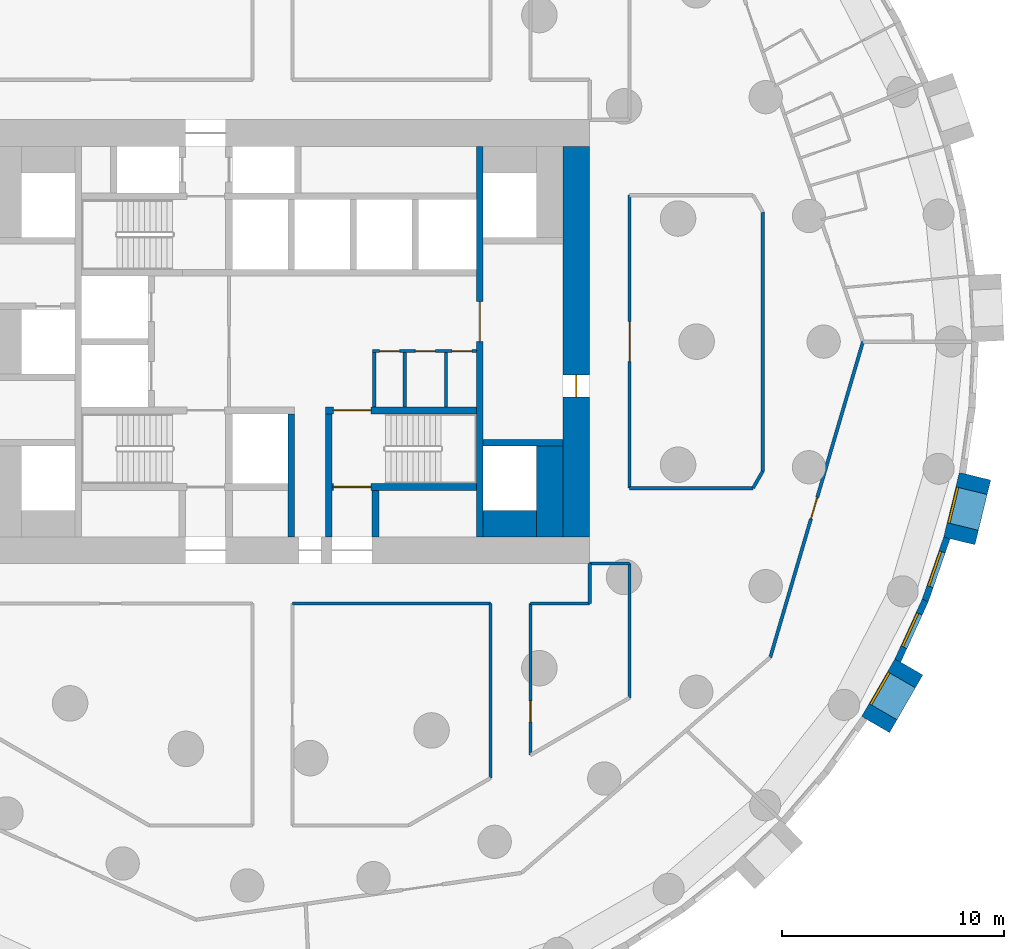
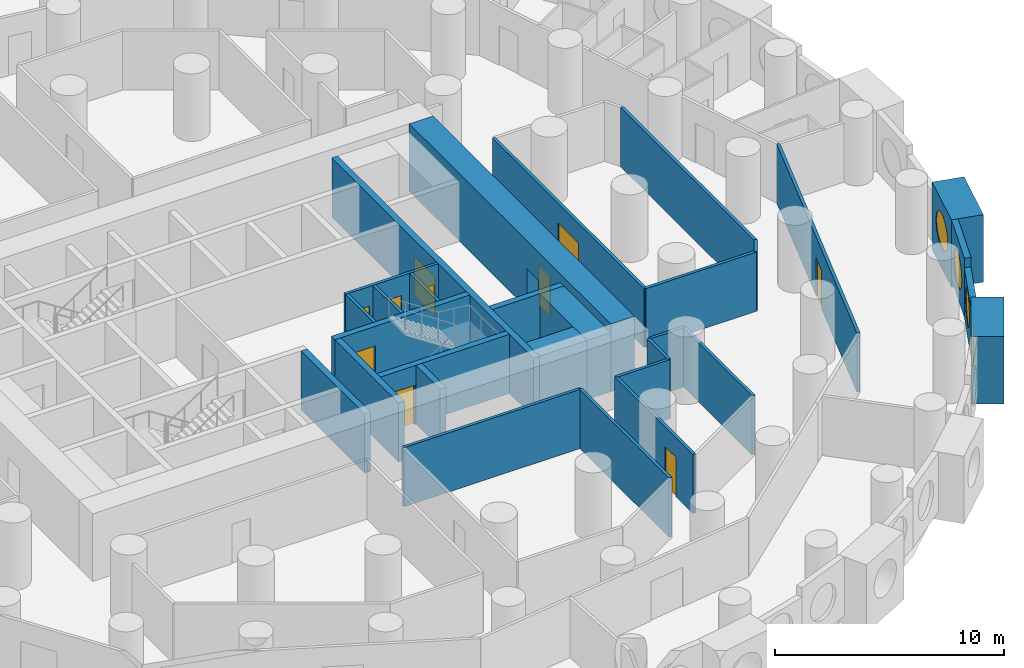
# One storey, part 5 of 12: 30 walls, 10 doors, 4 windows, 14 openings.
"""IFC4 building model written with IfcOpenShell, lengths in metres."""

import ifcopenshell
import ifcopenshell.guid

model = None  # the IFC model being written
_history = None  # IfcOwnerHistory: only IFC2X3 demands one
_inside = {}  # id of a spatial element -> (the spatial element, [elements in it])
_under = {}  # id of a project, library or spatial element -> (it, [spatial elements below it])
_declared = {}  # id of a project -> (the project, [libraries it declares])
_typed = {}  # id of a type object -> (the type object, [elements of that type])
_made_of = {}  # id of a material, layer set ... -> (it, [elements and type objects made of it])


def new_model(schema):
    """Start an empty IFC model of exactly this schema.

    Asked for "IFC4X3", IfcOpenShell would pick the latest addendum, in which some entities
    have other attributes; the version numbers below select the first issue.
    IFC2X3 requires an IfcOwnerHistory on every rooted entity: one is made here for all.
    """
    global model, _history
    if schema == "IFC4X3":
        model = ifcopenshell.file(schema_version=(4, 3, 0, 0))
    else:
        model = ifcopenshell.file(schema=schema)
    _inside.clear()
    _under.clear()
    _declared.clear()
    _typed.clear()
    _made_of.clear()
    _history = None
    if model.schema == "IFC2X3":
        org = make("IfcOrganization", Name="unknown")
        user = make(
            "IfcPersonAndOrganization",
            ThePerson=make("IfcPerson", FamilyName="unknown"),
            TheOrganization=org,
        )
        app = make(
            "IfcApplication",
            ApplicationDeveloper=org,
            Version="unknown",
            ApplicationFullName="unknown",
            ApplicationIdentifier="unknown",
        )
        _history = make(
            "IfcOwnerHistory",
            OwningUser=user,
            OwningApplication=app,
            ChangeAction="ADDED",
            CreationDate=0,
        )
    return model


def make(cls, **values):
    """One entity of the class cls with the attributes given. An attribute that is None is left unset."""
    return model.create_entity(
        cls, **{name: value for name, value in values.items() if value is not None}
    )


def rooted(cls, **values):
    """An entity with a GlobalId (a new one), such as an element, a storey or a relation."""
    return make(cls, GlobalId=ifcopenshell.guid.new(), OwnerHistory=_history, **values)


def si_unit(unit_type, name, prefix=None):
    """IfcSIUnit, for example si_unit("LENGTHUNIT", "METRE", prefix="MILLI")."""
    return make("IfcSIUnit", UnitType=unit_type, Prefix=prefix, Name=name)


def assignment(units):
    """IfcUnitAssignment: the units of a project."""
    return None if units is None else make("IfcUnitAssignment", Units=units)


def point(xyz):
    """IfcCartesianPoint."""
    return None if xyz is None else make("IfcCartesianPoint", Coordinates=xyz)


def direction(xyz):
    """IfcDirection."""
    return None if xyz is None else make("IfcDirection", DirectionRatios=xyz)


def frame(location, z_axis=None, x_axis=None):
    """IfcAxis2Placement3D, a coordinate frame: its origin and axes. An axis left out is left unset."""
    return make(
        "IfcAxis2Placement3D",
        Location=point(location),
        Axis=direction(z_axis),
        RefDirection=direction(x_axis),
    )


def frame_2d(location, x_axis=None):
    """IfcAxis2Placement2D, a coordinate frame in the plane: its origin and x axis."""
    return make(
        "IfcAxis2Placement2D", Location=point(location), RefDirection=direction(x_axis)
    )


def origin():
    """The frame at (0, 0, 0) with its axes left unset."""
    return frame((0.0, 0.0, 0.0))


def origin_2d():
    """The frame at (0, 0) in the plane with its x axis left unset."""
    return frame_2d((0.0, 0.0))


def place(relative_to, where):
    """IfcLocalPlacement: puts the frame where relative to a parent placement (None: the world)."""
    return make(
        "IfcLocalPlacement", PlacementRelTo=relative_to, RelativePlacement=where
    )


def context(
    kind, dimensions, precision=None, world=None, true_north=None, identifier=None
):
    """IfcGeometricRepresentationContext, for example the 3D "Model" context."""
    return make(
        "IfcGeometricRepresentationContext",
        ContextIdentifier=identifier,
        ContextType=kind,
        CoordinateSpaceDimension=dimensions,
        Precision=precision,
        WorldCoordinateSystem=world,
        TrueNorth=true_north,
    )


def subcontext(parent, identifier, kind, view, scale=None):
    """IfcGeometricRepresentationSubContext, for example "Body" below "Model"."""
    return make(
        "IfcGeometricRepresentationSubContext",
        ContextIdentifier=identifier,
        ContextType=kind,
        ParentContext=parent,
        TargetScale=scale,
        TargetView=view,
    )


def project(units=None, contexts=None):
    """IfcProject with its units and contexts."""
    return rooted(
        "IfcProject",
        Name="project",
        RepresentationContexts=contexts,
        UnitsInContext=assignment(units),
    )


def spatial(cls, under=None, at=None, **own):
    """A site, building, storey or space (cls), placed at a placement, below another one or the project."""
    s = rooted(cls, ObjectPlacement=at, **own)
    if under is not None:
        _under.setdefault(under.id(), (under, []))[1].append(s)
    return s


def profile(cls, at=None, kind="AREA", **sizes):
    """A parametric profile (cls). Its sizes go by their IFC names, for example OverallWidth=200.0."""
    return make(cls, ProfileType=kind, Position=at, **sizes)


def rectangle(**sizes):
    """IfcRectangleProfileDef."""
    return profile("IfcRectangleProfileDef", **sizes)


def circle(**sizes):
    """IfcCircleProfileDef."""
    return profile("IfcCircleProfileDef", **sizes)


def extrude(swept, where, along, depth):
    """IfcExtrudedAreaSolid: the profile swept, set in the frame where, extruded along a direction by depth."""
    return make(
        "IfcExtrudedAreaSolid",
        SweptArea=swept,
        Position=where,
        ExtrudedDirection=direction(along),
        Depth=depth,
    )


def shape(context_of_items, identifier, shape_type, items):
    """IfcShapeRepresentation: the items that make up one representation, for example the "Body"."""
    return make(
        "IfcShapeRepresentation",
        ContextOfItems=context_of_items,
        RepresentationIdentifier=identifier,
        RepresentationType=shape_type,
        Items=items,
    )


def material(Name=None, Category=None):
    """IfcMaterial."""
    return make("IfcMaterial", Name=Name, Category=Category)


def layer(
    of_material, thickness, ventilated=None, Name=None, Category=None, Priority=None
):
    """IfcMaterialLayer: one layer of a wall or slab, of a material (None: an air gap)."""
    return make(
        "IfcMaterialLayer",
        Material=of_material,
        LayerThickness=thickness,
        IsVentilated=ventilated,
        Name=Name,
        Category=Category,
        Priority=Priority,
    )


def layer_set(layers, Name=None):
    """IfcMaterialLayerSet."""
    return make("IfcMaterialLayerSet", MaterialLayers=layers, LayerSetName=Name)


def made_of(thing, what):
    """Note that an element or type object is made of a material, layer set ...; save() writes the relation."""
    if what is not None:
        _made_of.setdefault(what.id(), (what, []))[1].append(thing)
    return thing


def type_object(cls, material=None, **own):
    """A type object (cls), such as IfcWallType, which elements share."""
    return made_of(rooted(cls, **own), material)


def element(
    cls,
    number,
    at=None,
    inside=None,
    cuts=None,
    type_object=None,
    material=None,
    context=None,
    identifier="Body",
    shape_type=None,
    held_by="IfcProductDefinitionShape",
    body=None,
    shapes=None,
    **own,
):
    """One element of the class cls, such as IfcWall. Its Tag is "e" and its number.

    at: its placement. inside: the storey or other place that contains it. cuts: it is an
    opening in that element (IfcRelVoidsElement). A single representation is given by context,
    identifier, shape_type and body (its items); several are given by shapes. held_by: the class
    of the entity that holds the representations. save() writes the other relations.
    """
    e = rooted(cls, Tag="e%d" % number, ObjectPlacement=at, **own)
    if body is not None:
        shapes = [shape(context, identifier, shape_type, body)]
    if shapes is not None:
        e.Representation = make(held_by, Representations=shapes)
    if inside is not None:
        _inside.setdefault(inside.id(), (inside, []))[1].append(e)
    if cuts is not None:
        rooted(
            "IfcRelVoidsElement", RelatingBuildingElement=cuts, RelatedOpeningElement=e
        )
    if type_object is not None:
        _typed.setdefault(type_object.id(), (type_object, []))[1].append(e)
    return made_of(e, material)


def fill(opening, filler):
    """IfcRelFillsElement: the door or window that sits in an opening."""
    return rooted(
        "IfcRelFillsElement",
        RelatingOpeningElement=opening,
        RelatedBuildingElement=filler,
    )


def aggregate(whole, parts):
    """IfcRelAggregates: a whole, such as a stair, and the parts it consists of."""
    return rooted("IfcRelAggregates", RelatingObject=whole, RelatedObjects=parts)


def save(model, path):
    """Write the relations noted so far, then the file.

    IfcRelAggregates (storeys below a building ...), IfcRelContainedInSpatialStructure (elements
    in a storey), IfcRelDefinesByType, IfcRelAssociatesMaterial and IfcRelDeclares: one each for
    every whole, place, type object, material and project.
    """
    for whole, parts in _under.values():
        aggregate(whole, parts)
    for where, things in _inside.values():
        rooted(
            "IfcRelContainedInSpatialStructure",
            RelatedElements=things,
            RelatingStructure=where,
        )
    for kind, things in _typed.values():
        rooted("IfcRelDefinesByType", RelatedObjects=things, RelatingType=kind)
    for what, things in _made_of.values():
        rooted("IfcRelAssociatesMaterial", RelatedObjects=things, RelatingMaterial=what)
    for by, libraries in _declared.values():
        rooted("IfcRelDeclares", RelatingContext=by, RelatedDefinitions=libraries)
    model.write(path)


model = new_model("IFC4")

# Units and contexts
model_context = context("Model", 3, precision=1e-05, world=origin(), true_north=direction((0.0, 1.0)))
body_context = subcontext(model_context, "Body", "Model", "MODEL_VIEW")
ifc_project = project(units=[si_unit("LENGTHUNIT", "METRE"), si_unit("AREAUNIT", "SQUARE_METRE"), si_unit("VOLUMEUNIT", "CUBIC_METRE"), si_unit("PLANEANGLEUNIT", "RADIAN"), si_unit("MASSUNIT", "GRAM", prefix="KILO")], contexts=[model_context])

# Site, building, storey
site_placement = place(None, origin())
site = spatial("IfcSite", under=ifc_project, at=site_placement, CompositionType="ELEMENT")
building_placement = place(site_placement, origin())
building = spatial("IfcBuilding", under=site, at=building_placement, Name="Tracery Tower", CompositionType="ELEMENT")
storey_placement = place(building_placement, frame((0.0, 0.0, 42.60009765625)))
storey = spatial("IfcBuildingStorey", under=building, at=storey_placement, Name="L09", CompositionType="ELEMENT", Elevation=42.60009765625)

# Wall
ifc_material_1 = material(Name="Plasterboard on steel studs", Category="steel")
ifc_layer_1 = layer(ifc_material_1, 0.14990234375)
ifc_layer_set_1 = layer_set([ifc_layer_1], Name="Core room partition 150")
wall_type_1 = type_object("IfcWallType", Name="Core room partition 150", PredefinedType="SOLIDWALL", material=ifc_layer_set_1)
wall_1_placement = place(storey_placement, frame((4.300048828125, -2.949951171875, 0.0), z_axis=(0.0, 0.0, 1.0), x_axis=(0.0, 1.0, 0.0)))
element("IfcWall", 1, at=wall_1_placement, inside=storey, type_object=wall_type_1, Name="L09 slot W", PredefinedType="SOLIDWALL", context=body_context, shape_type="SweptSolid", body=[
    extrude(rectangle(XDim=2.449951171875, YDim=0.14990234375, at=frame_2d((1.22509765625, 0.0))), origin(), (0.0, 0.0, 1.0), 3.14990234375),
])

# Wall, openings, doors
wall_2_placement = place(storey_placement, frame((4.22509765625, -0.425048828125, 0.0), z_axis=(0.0, 0.0, 1.0), x_axis=(1.0, 0.0, 0.0)))
wall_2 = element("IfcWall", 2, at=wall_2_placement, inside=storey, type_object=wall_type_1, Name="L09 slot N", PredefinedType="SOLIDWALL", context=body_context, shape_type="SweptSolid", body=[
    extrude(rectangle(XDim=4.6748046875, YDim=0.14990234375, at=frame_2d((2.33740234375, 0.0))), origin(), (0.0, 0.0, 1.0), 3.14990234375),
])
opening_1_placement = place(wall_2_placement, frame((0.3125, 0.0, 0.0)))
opening_1 = element("IfcOpeningElement", 3, at=opening_1_placement, cuts=wall_2, Name="Opening KD32", PredefinedType="OPENING", context=body_context, shape_type="SweptSolid", body=[
    extrude(rectangle(XDim=0.89990234375, YDim=2.10009765625, at=frame_2d((0.449951171875, 1.050048828125))), frame((0.0, 0.074951171875, 0.0), z_axis=(0.0, -1.0, 0.0), x_axis=(1.0, 0.0, 0.0)), (0.0, 0.0, 1.0), 0.14990234375),
])
opening_2_placement = place(wall_2_placement, frame((1.925048828125, 0.0, 0.0)))
opening_2 = element("IfcOpeningElement", 4, at=opening_2_placement, cuts=wall_2, Name="Opening KD21", PredefinedType="OPENING", context=body_context, shape_type="SweptSolid", body=[
    extrude(rectangle(XDim=0.89990234375, YDim=2.10009765625, at=frame_2d((0.449951171875, 1.050048828125))), frame((0.0, 0.074951171875, 0.0), z_axis=(0.0, -1.0, 0.0), x_axis=(1.0, 0.0, 0.0)), (0.0, 0.0, 1.0), 0.14990234375),
])
opening_3_placement = place(wall_2_placement, frame((3.574951171875, 0.0, 0.0)))
opening_3 = element("IfcOpeningElement", 5, at=opening_3_placement, cuts=wall_2, Name="Opening KD27", PredefinedType="OPENING", context=body_context, shape_type="SweptSolid", body=[
    extrude(rectangle(XDim=0.89990234375, YDim=2.10009765625, at=frame_2d((0.449951171875, 1.050048828125))), frame((0.0, 0.074951171875, 0.0), z_axis=(0.0, -1.0, 0.0), x_axis=(1.0, 0.0, 0.0)), (0.0, 0.0, 1.0), 0.14990234375),
])
ifc_material_2 = material(Name="Timber door leaf", Category="wood")
door_type_1 = type_object("IfcDoorType", Name="Core WC door 900", OperationType="NOTDEFINED", PredefinedType="DOOR", material=ifc_material_2)
door_1_placement = place(opening_2_placement, origin())
door_1 = element("IfcDoor", 6, at=door_1_placement, inside=storey, type_object=door_type_1, Name="Core door", OperationType="SINGLE_SWING_LEFT", OverallHeight=2.10009765625, OverallWidth=0.89990234375, PredefinedType="DOOR", context=body_context, shape_type="SweptSolid", body=[
    extrude(rectangle(XDim=0.89990234375, YDim=2.10009765625, at=frame_2d((0.449951171875, 1.050048828125))), frame((0.0, 0.02490234375, 0.0), z_axis=(0.0, -1.0, 0.0), x_axis=(1.0, 0.0, 0.0)), (0.0, 0.0, 1.0), 0.050048828125),
])
fill(opening_2, door_1)
ifc_material_3 = material(Name="Steel fire door", Category="steel")
door_type_2 = type_object("IfcDoorType", Name="Core riser door 900", OperationType="NOTDEFINED", PredefinedType="DOOR", material=ifc_material_3)
door_2_placement = place(opening_1_placement, origin())
door_2 = element("IfcDoor", 7, at=door_2_placement, inside=storey, type_object=door_type_2, Name="Core door", OperationType="SINGLE_SWING_RIGHT", OverallHeight=2.10009765625, OverallWidth=0.89990234375, PredefinedType="DOOR", context=body_context, shape_type="SweptSolid", body=[
    extrude(rectangle(XDim=0.89990234375, YDim=2.10009765625, at=frame_2d((0.449951171875, 1.050048828125))), frame((0.0, 0.02490234375, 0.0), z_axis=(0.0, -1.0, 0.0), x_axis=(1.0, 0.0, 0.0)), (0.0, 0.0, 1.0), 0.050048828125),
])
fill(opening_1, door_2)
ifc_material_4 = material(Name="Timber door leaf", Category="wood")
door_type_3 = type_object("IfcDoorType", Name="Core store door 900", OperationType="NOTDEFINED", PredefinedType="DOOR", material=ifc_material_4)
door_3_placement = place(opening_3_placement, origin())
door_3 = element("IfcDoor", 8, at=door_3_placement, inside=storey, type_object=door_type_3, Name="Core door", OperationType="SINGLE_SWING_RIGHT", OverallHeight=2.10009765625, OverallWidth=0.89990234375, PredefinedType="DOOR", context=body_context, shape_type="SweptSolid", body=[
    extrude(rectangle(XDim=0.89990234375, YDim=2.10009765625, at=frame_2d((0.449951171875, 1.050048828125))), frame((0.0, 0.02490234375, 0.0), z_axis=(0.0, -1.0, 0.0), x_axis=(1.0, 0.0, 0.0)), (0.0, 0.0, 1.0), 0.050048828125),
])
fill(opening_3, door_3)

# Walls
for number, where, z_axis, x_axis, name in (
    (9, (5.675048828125, -2.949951171875, 0.0), (0.0, 0.0, 1.0), (0.0, 1.0, 0.0), "L09 slot sep 1"),
    (10, (7.52490234375, -2.949951171875, 0.0), (0.0, 0.0, 1.0), (0.0, 1.0, 0.0), "L09 slot sep 2"),
):
    element("IfcWall", number, at=place(storey_placement, frame(where, z_axis=z_axis, x_axis=x_axis)), inside=storey, type_object=wall_type_1, Name=name, PredefinedType="SOLIDWALL", context=body_context, shape_type="SweptSolid", body=[
        extrude(rectangle(XDim=2.449951171875, YDim=0.14990234375, at=frame_2d((1.22509765625, 0.0))), origin(), (0.0, 0.0, 1.0), 3.14990234375),
    ])
ifc_material_5 = material(Name="Concrete C60/75", Category="concrete")
ifc_layer_2 = layer(ifc_material_5, 1.199951171875)
ifc_layer_set_2 = layer_set([ifc_layer_2], Name="Core strip wall 1200 C60")
wall_type_2 = type_object("IfcWallType", Name="Core strip wall 1200 C60", PredefinedType="SOLIDWALL", material=ifc_layer_set_2)
wall_3_placement = place(storey_placement, frame((12.199951171875, -8.800048828125, 0.0), z_axis=(0.0, 0.0, 1.0), x_axis=(0.0, 1.0, 0.0)))
element("IfcWall", 11, at=wall_3_placement, inside=storey, type_object=wall_type_2, Name="L09 wing strip +1 -9.4", PredefinedType="SOLIDWALL", context=body_context, shape_type="SweptSolid", body=[
    extrude(rectangle(XDim=4.10009765625, YDim=1.199951171875, at=frame_2d((2.050048828125, 0.0))), origin(), (0.0, 0.0, 1.0), 3.14990234375),
])
wall_4_placement = place(storey_placement, frame((9.199951171875, -8.199951171875, 0.0), z_axis=(0.0, 0.0, 1.0), x_axis=(1.0, 0.0, 0.0)))
element("IfcWall", 12, at=wall_4_placement, inside=storey, type_object=wall_type_2, Name="L09 wing corner +1 -8.2", PredefinedType="SOLIDWALL", context=body_context, shape_type="SweptSolid", body=[
    extrude(rectangle(XDim=2.400146484375, YDim=1.199951171875, at=frame_2d((1.2001953125, 0.0))), origin(), (0.0, 0.0, 1.0), 3.14990234375),
])

# Wall, opening, door
ifc_material_6 = material(Name="Concrete C60/75", Category="concrete")
ifc_layer_3 = layer(ifc_material_6, 1.199951171875)
ifc_layer_set_3 = layer_set([ifc_layer_3], Name="Core wall 1200 C60")
wall_type_3 = type_object("IfcWallType", Name="Core wall 1200 C60", PredefinedType="SOLIDWALL", material=ifc_layer_set_3)
wall_5_placement = place(storey_placement, frame((13.39990234375, -8.800048828125, 0.0), z_axis=(0.0, 0.0, 1.0), x_axis=(0.0, 1.0, 0.0)))
wall_5 = element("IfcWall", 13, at=wall_5_placement, inside=storey, type_object=wall_type_3, Name="L09 outer E", PredefinedType="SOLIDWALL", context=body_context, shape_type="SweptSolid", body=[
    extrude(rectangle(XDim=17.60009765625, YDim=1.199951171875, at=frame_2d((8.800048828125, 0.0))), origin(), (0.0, 0.0, 1.0), 3.599853515625),
])
opening_4_placement = place(wall_5_placement, frame((6.300048828125, 0.0, 0.0)))
opening_4 = element("IfcOpeningElement", 14, at=opening_4_placement, cuts=wall_5, Name="Opening KD18", PredefinedType="OPENING", context=body_context, shape_type="SweptSolid", body=[
    extrude(rectangle(XDim=1.0, YDim=2.10009765625, at=frame_2d((0.5, 1.050048828125))), frame((0.0, 0.60009765625, 0.0), z_axis=(0.0, -1.0, 0.0), x_axis=(1.0, 0.0, 0.0)), (0.0, 0.0, 1.0), 1.199951171875),
])
ifc_material_7 = material(Name="Steel fire door", Category="steel")
door_type_4 = type_object("IfcDoorType", Name="Core exit door 1000", OperationType="NOTDEFINED", PredefinedType="DOOR", material=ifc_material_7)
door_4_placement = place(opening_4_placement, origin())
door_4 = element("IfcDoor", 15, at=door_4_placement, inside=storey, type_object=door_type_4, Name="Core exit door", OperationType="DOUBLE_DOOR_SINGLE_SWING", OverallHeight=2.10009765625, OverallWidth=1.0, PredefinedType="DOOR", context=body_context, shape_type="SweptSolid", body=[
    extrude(rectangle(XDim=1.0, YDim=2.10009765625, at=frame_2d((0.5, 1.050048828125))), frame((0.0, 0.02490234375, 0.0), z_axis=(0.0, -1.0, 0.0), x_axis=(1.0, 0.0, 0.0)), (0.0, 0.0, 1.0), 0.050048828125),
])
fill(opening_4, door_4)

# Wall, opening, window
ifc_material_8 = material(Name="Precast concrete C50/60", Category="concrete")
ifc_layer_4 = layer(ifc_material_8, 1.449951171875)
ifc_layer_set_4 = layer_set([ifc_layer_4], Name="Deep-set bay unit 3000 x 3600, slab edge 450")
wall_type_4 = type_object("IfcWallType", Name="Deep-set bay unit 3000 x 3600, slab edge 450", PredefinedType="ELEMENTEDWALL", material=ifc_layer_set_4)
wall_6_placement = place(storey_placement, frame((26.88818359375, -17.256103515625, -0.4501953125), z_axis=(0.0, 0.0, 1.0), x_axis=(0.499990139034, 0.866031096941, 0.0)))
wall_6 = element("IfcWall", 16, at=wall_6_placement, inside=storey, type_object=wall_type_4, Name="Deep-set bay unit 61 at L09", PredefinedType="ELEMENTEDWALL", context=body_context, shape_type="SweptSolid", body=[
    extrude(rectangle(XDim=3.0, YDim=1.449951171875, at=frame_2d((1.5, 0.0))), origin(), (0.0, 0.0, 1.0), 3.60009765625),
])
opening_5_placement = place(wall_6_placement, frame((1.5, 0.0, 2.0)))
opening_5 = element("IfcOpeningElement", 17, at=opening_5_placement, cuts=wall_6, Name="Opening WN1", PredefinedType="OPENING", context=body_context, shape_type="SweptSolid", body=[
    extrude(circle(Radius=0.9000244140625, at=origin_2d()), frame((0.0, 0.73486328125, 0.0), z_axis=(0.0, -1.0, 0.0), x_axis=(1.0, 0.0, 0.0)), (0.0, 0.0, 1.0), 1.469970703125),
])
ifc_material_9 = material(Name="Aluminium frame with tinted double glazing", Category="aluminium")
window_type = type_object("IfcWindowType", Name="Round window 1800", PartitioningType="SINGLE_PANEL", PredefinedType="WINDOW", material=ifc_material_9)
window_1_placement = place(opening_5_placement, origin())
window_1 = element("IfcWindow", 18, at=window_1_placement, inside=storey, type_object=window_type, Name="Round window 61 at L09", OverallHeight=1.800048828125, OverallWidth=1.800048828125, PartitioningType="SINGLE_PANEL", PredefinedType="WINDOW", context=body_context, shape_type="SweptSolid", body=[
    extrude(circle(Radius=0.9000244140625, at=origin_2d()), frame((0.0, 0.69482421875, 0.0), z_axis=(0.0, -1.0, 0.0), x_axis=(1.0, 0.0, 0.0)), (0.0, 0.0, 1.0), 0.10009765625),
])
fill(opening_5, window_1)

wall_7_placement = place(storey_placement, frame((30.66064453125, -8.981689453125, -0.4501953125), z_axis=(0.0, 0.0, 1.0), x_axis=(0.235751415068, 0.971813392732, 0.0)))
wall_7 = element("IfcWall", 19, at=wall_7_placement, inside=storey, type_object=wall_type_4, Name="Deep-set bay unit 64 at L09", PredefinedType="ELEMENTEDWALL", context=body_context, shape_type="SweptSolid", body=[
    extrude(rectangle(XDim=3.0, YDim=1.449951171875, at=frame_2d((1.5, 0.0))), origin(), (0.0, 0.0, 1.0), 3.60009765625),
])
opening_6_placement = place(wall_7_placement, frame((1.5, 0.0, 2.0)))
opening_6 = element("IfcOpeningElement", 20, at=opening_6_placement, cuts=wall_7, Name="Opening WN1", PredefinedType="OPENING", context=body_context, shape_type="SweptSolid", body=[
    extrude(circle(Radius=0.9000244140625, at=origin_2d()), frame((0.0, 0.73486328125, 0.0), z_axis=(0.0, -1.0, 0.0), x_axis=(1.0, 0.0, 0.0)), (0.0, 0.0, 1.0), 1.469970703125),
])
window_2_placement = place(opening_6_placement, origin())
window_2 = element("IfcWindow", 21, at=window_2_placement, inside=storey, type_object=window_type, Name="Round window 64 at L09", OverallHeight=1.800048828125, OverallWidth=1.800048828125, PartitioningType="SINGLE_PANEL", PredefinedType="WINDOW", context=body_context, shape_type="SweptSolid", body=[
    extrude(circle(Radius=0.9000244140625, at=origin_2d()), frame((0.0, 0.69482421875, 0.0), z_axis=(0.0, -1.0, 0.0), x_axis=(1.0, 0.0, 0.0)), (0.0, 0.0, 1.0), 0.10009765625),
])
fill(opening_6, window_2)

ifc_material_10 = material(Name="Precast concrete C50/60", Category="concrete")
ifc_layer_5 = layer(ifc_material_10, 0.300048828125)
ifc_layer_set_5 = layer_set([ifc_layer_5], Name="Facade panel 3000 x 2650")
wall_type_5 = type_object("IfcWallType", Name="Facade panel 3000 x 2650", PredefinedType="SOLIDWALL", material=ifc_layer_set_5)
wall_8_placement = place(storey_placement, frame((27.88916015625, -14.37109375, 0.0), z_axis=(0.0, 0.0, 1.0), x_axis=(0.415407317162, 0.909635509888, 0.0)))
wall_8 = element("IfcWall", 22, at=wall_8_placement, inside=storey, type_object=wall_type_5, Name="Facade panel 62 at L09", PredefinedType="SOLIDWALL", context=body_context, shape_type="SweptSolid", body=[
    extrude(rectangle(XDim=2.979736328125, YDim=0.300048828125, at=frame_2d((1.48974609375, 0.0))), origin(), (0.0, 0.0, 1.0), 2.64990234375),
])
opening_7_placement = place(wall_8_placement, frame((1.48974609375, 0.0, 1.5498046875)))
opening_7 = element("IfcOpeningElement", 23, at=opening_7_placement, cuts=wall_8, Name="Opening WN1", PredefinedType="OPENING", context=body_context, shape_type="SweptSolid", body=[
    extrude(circle(Radius=0.9000244140625, at=origin_2d()), frame((0.0, 0.159912109375, 0.0), z_axis=(0.0, -1.0, 0.0), x_axis=(1.0, 0.0, 0.0)), (0.0, 0.0, 1.0), 0.320068359375),
])
window_3_placement = place(opening_7_placement, origin())
window_3 = element("IfcWindow", 24, at=window_3_placement, inside=storey, type_object=window_type, Name="Round window 62 at L09", OverallHeight=1.800048828125, OverallWidth=1.800048828125, PartitioningType="SINGLE_PANEL", PredefinedType="WINDOW", context=body_context, shape_type="SweptSolid", body=[
    extrude(circle(Radius=0.9000244140625, at=origin_2d()), frame((0.0, 0.1201171875, 0.0), z_axis=(0.0, -1.0, 0.0), x_axis=(1.0, 0.0, 0.0)), (0.0, 0.0, 1.0), 0.10009765625),
])
fill(opening_7, window_3)

ifc_material_11 = material(Name="Precast concrete C50/60", Category="concrete")
ifc_layer_6 = layer(ifc_material_11, 0.300048828125)
ifc_layer_set_6 = layer_set([ifc_layer_6], Name="Facade panel 3000 x 3150")
wall_type_6 = type_object("IfcWallType", Name="Facade panel 3000 x 3150", PredefinedType="SOLIDWALL", material=ifc_layer_set_6)
wall_9_placement = place(storey_placement, frame((29.126953125, -11.66064453125, 0.0), z_axis=(0.0, 0.0, 1.0), x_axis=(0.327096492592, 0.944990944154, 0.0)))
wall_9 = element("IfcWall", 25, at=wall_9_placement, inside=storey, type_object=wall_type_6, Name="Facade panel 63 at L09", PredefinedType="SOLIDWALL", context=body_context, shape_type="SweptSolid", body=[
    extrude(rectangle(XDim=2.9794921875, YDim=0.300048828125, at=frame_2d((1.48974609375, 0.0))), origin(), (0.0, 0.0, 1.0), 3.14990234375),
])
opening_8_placement = place(wall_9_placement, frame((1.48974609375, 0.0, 1.5498046875)))
opening_8 = element("IfcOpeningElement", 26, at=opening_8_placement, cuts=wall_9, Name="Opening WN1", PredefinedType="OPENING", context=body_context, shape_type="SweptSolid", body=[
    extrude(circle(Radius=0.9000244140625, at=origin_2d()), frame((0.0, 0.159912109375, 0.0), z_axis=(0.0, -1.0, 0.0), x_axis=(1.0, 0.0, 0.0)), (0.0, 0.0, 1.0), 0.320068359375),
])
window_4_placement = place(opening_8_placement, origin())
window_4 = element("IfcWindow", 27, at=window_4_placement, inside=storey, type_object=window_type, Name="Round window 63 at L09", OverallHeight=1.800048828125, OverallWidth=1.800048828125, PartitioningType="SINGLE_PANEL", PredefinedType="WINDOW", context=body_context, shape_type="SweptSolid", body=[
    extrude(circle(Radius=0.9000244140625, at=origin_2d()), frame((0.0, 0.1201171875, 0.0), z_axis=(0.0, -1.0, 0.0), x_axis=(1.0, 0.0, 0.0)), (0.0, 0.0, 1.0), 0.10009765625),
])
fill(opening_8, window_4)

# Walls
ifc_material_12 = material(Name="Plasterboard on steel studs", Category="steel")
ifc_layer_7 = layer(ifc_material_12, 0.14990234375)
ifc_layer_set_7 = layer_set([ifc_layer_7], Name="Partition 150 corridor wall")
wall_type_7 = type_object("IfcWallType", Name="Partition 150 corridor wall", PredefinedType="PARTITIONING", material=ifc_layer_set_7)
wall_10_placement = place(storey_placement, frame((0.60400390625, -11.800048828125, 0.0), z_axis=(0.0, 0.0, 1.0), x_axis=(1.0, 0.0, 0.0)))
element("IfcWall", 28, at=wall_10_placement, inside=storey, type_object=wall_type_7, Name="Corridor wall RA2-006", PredefinedType="PARTITIONING", context=body_context, shape_type="SweptSolid", body=[
    extrude(rectangle(XDim=8.93603515625, YDim=0.14990234375, at=frame_2d((4.468017578125, 0.0))), origin(), (0.0, 0.0, 1.0), 3.14990234375),
])
wall_11_placement = place(storey_placement, frame((14.0, -11.800048828125, 0.0), z_axis=(0.0, 0.0, 1.0), x_axis=(0.0, 1.0, 0.0)))
element("IfcWall", 29, at=wall_11_placement, inside=storey, type_object=wall_type_7, Name="Corridor wall RA2-007", PredefinedType="PARTITIONING", context=body_context, shape_type="SweptSolid", body=[
    extrude(rectangle(XDim=1.800048828125, YDim=0.14990234375, at=frame_2d((0.89990234375, 0.0))), origin(), (0.0, 0.0, 1.0), 3.14990234375),
])
wall_12_placement = place(storey_placement, frame((11.33203125, -11.800048828125, 0.0), z_axis=(0.0, 0.0, 1.0), x_axis=(1.0, 0.0, 0.0)))
element("IfcWall", 30, at=wall_12_placement, inside=storey, type_object=wall_type_7, Name="Corridor wall RA2-008", PredefinedType="PARTITIONING", context=body_context, shape_type="SweptSolid", body=[
    extrude(rectangle(XDim=2.66796875, YDim=0.14990234375, at=frame_2d((1.333984375, 0.0))), origin(), (0.0, 0.0, 1.0), 3.14990234375),
])
wall_13_placement = place(storey_placement, frame((14.0, -10.0, 0.0), z_axis=(0.0, 0.0, 1.0), x_axis=(1.0, 0.0, 0.0)))
element("IfcWall", 31, at=wall_13_placement, inside=storey, type_object=wall_type_7, Name="Corridor wall RA2-010", PredefinedType="PARTITIONING", context=body_context, shape_type="SweptSolid", body=[
    extrude(rectangle(XDim=1.800048828125, YDim=0.14990234375, at=frame_2d((0.89990234375, 0.0))), origin(), (0.0, 0.0, 1.0), 3.14990234375),
])

# Wall, opening, door
wall_14_placement = place(storey_placement, frame((15.800048828125, -6.60400390625, 0.0), z_axis=(0.0, 0.0, 1.0), x_axis=(0.0, 1.0, 0.0)))
wall_14 = element("IfcWall", 32, at=wall_14_placement, inside=storey, type_object=wall_type_7, Name="Corridor wall RA2-011", PredefinedType="PARTITIONING", context=body_context, shape_type="SweptSolid", body=[
    extrude(rectangle(XDim=13.2080078125, YDim=0.14990234375, at=frame_2d((6.60400390625, 0.0))), origin(), (0.0, 0.0, 1.0), 3.14990234375),
])
opening_9_placement = place(wall_14_placement, frame((5.7041015625, 0.0, 0.0)))
opening_9 = element("IfcOpeningElement", 33, at=opening_9_placement, cuts=wall_14, Name="Opening RA2-07", PredefinedType="OPENING", context=body_context, shape_type="SweptSolid", body=[
    extrude(rectangle(XDim=1.800048828125, YDim=2.10009765625, at=frame_2d((0.89990234375, 1.050048828125))), frame((0.0, 0.074951171875, 0.0), z_axis=(0.0, -1.0, 0.0), x_axis=(1.0, 0.0, 0.0)), (0.0, 0.0, 1.0), 0.14990234375),
])
ifc_material_13 = material(Name="Timber door leaf", Category="wood")
door_type_5 = type_object("IfcDoorType", Name="Door double lounge 1800", OperationType="NOTDEFINED", PredefinedType="DOOR", material=ifc_material_13)
door_5_placement = place(opening_9_placement, origin())
door_5 = element("IfcDoor", 34, at=door_5_placement, inside=storey, type_object=door_type_5, Name="Double lounge door RA2-07", OperationType="DOUBLE_DOOR_SINGLE_SWING", OverallHeight=2.10009765625, OverallWidth=1.800048828125, PredefinedType="DOOR", context=body_context, shape_type="SweptSolid", body=[
    extrude(rectangle(XDim=1.800048828125, YDim=2.10009765625, at=frame_2d((0.89990234375, 1.050048828125))), frame((0.0, 0.02490234375, 0.0), z_axis=(0.0, -1.0, 0.0), x_axis=(1.0, 0.0, 0.0)), (0.0, 0.0, 1.0), 0.050048828125),
])
fill(opening_9, door_5)

# Walls
wall_15_placement = place(storey_placement, frame((15.800048828125, -16.052978515625, 0.0), z_axis=(0.0, 0.0, 1.0), x_axis=(0.0, 1.0, 0.0)))
element("IfcWall", 35, at=wall_15_placement, inside=storey, type_object=wall_type_7, Name="Corridor wall RA2-014", PredefinedType="PARTITIONING", context=body_context, shape_type="SweptSolid", body=[
    extrude(rectangle(XDim=6.056884765625, YDim=0.14990234375, at=frame_2d((3.0283203125, 0.0))), origin(), (0.0, 0.0, 1.0), 3.14990234375),
])
wall_16_placement = place(storey_placement, frame((15.800048828125, -6.60009765625, 0.0), z_axis=(0.0, 0.0, 1.0), x_axis=(1.0, 0.0, 0.0)))
element("IfcWall", 36, at=wall_16_placement, inside=storey, type_object=wall_type_7, Name="Corridor wall RA2-015", PredefinedType="PARTITIONING", context=body_context, shape_type="SweptSolid", body=[
    extrude(rectangle(XDim=5.56396484375, YDim=0.14990234375, at=frame_2d((2.781982421875, 0.0))), origin(), (0.0, 0.0, 1.0), 3.14990234375),
])
wall_17_placement = place(storey_placement, frame((21.364013671875, -6.60009765625, 0.0), z_axis=(0.0, 0.0, 1.0), x_axis=(0.500277597875, 0.865865073245, 0.0)))
element("IfcWall", 37, at=wall_17_placement, inside=storey, type_object=wall_type_7, Name="Corridor wall RA2-016", PredefinedType="PARTITIONING", context=body_context, shape_type="SweptSolid", body=[
    extrude(rectangle(XDim=0.87548828125, YDim=0.14990234375, at=frame_2d((0.437744140625, 0.0))), origin(), (0.0, 0.0, 1.0), 3.14990234375),
])
wall_18_placement = place(storey_placement, frame((21.802001953125, -5.842041015625, 0.0), z_axis=(0.0, 0.0, 1.0), x_axis=(0.0, 1.0, 0.0)))
element("IfcWall", 38, at=wall_18_placement, inside=storey, type_object=wall_type_7, Name="Corridor wall RA2-017", PredefinedType="PARTITIONING", context=body_context, shape_type="SweptSolid", body=[
    extrude(rectangle(XDim=11.68408203125, YDim=0.14990234375, at=frame_2d((5.842041015625, 0.0))), origin(), (0.0, 0.0, 1.0), 3.14990234375),
])

# Wall, opening, door
wall_19_placement = place(storey_placement, frame((22.14111328125, -14.22900390625, 0.0), z_axis=(0.0, 0.0, 1.0), x_axis=(0.281730446162, 0.959493593363, 0.0)))
wall_19 = element("IfcWall", 39, at=wall_19_placement, inside=storey, type_object=wall_type_7, Name="Corridor wall RA2-023", PredefinedType="PARTITIONING", context=body_context, shape_type="SweptSolid", body=[
    extrude(rectangle(XDim=14.82958984375, YDim=0.14990234375, at=frame_2d((7.414794921875, 0.0))), origin(), (0.0, 0.0, 1.0), 3.14990234375),
])
opening_10_placement = place(wall_19_placement, frame((6.5146484375, 0.0, 0.0)))
opening_10 = element("IfcOpeningElement", 40, at=opening_10_placement, cuts=wall_19, Name="Opening RA2-50", PredefinedType="OPENING", context=body_context, shape_type="SweptSolid", body=[
    extrude(rectangle(XDim=1.0, YDim=2.0400390625, at=frame_2d((0.5, 1.02001953125))), frame((0.0, 0.074951171875, 0.0), z_axis=(0.0, -1.0, 0.0), x_axis=(1.0, 0.0, 0.0)), (0.0, 0.0, 1.0), 0.14990234375),
])
ifc_material_14 = material(Name="Timber door leaf", Category="wood")
door_type_6 = type_object("IfcDoorType", Name="Door communal room 1000", OperationType="NOTDEFINED", PredefinedType="DOOR", material=ifc_material_14)
door_6_placement = place(opening_10_placement, origin())
door_6 = element("IfcDoor", 41, at=door_6_placement, inside=storey, type_object=door_type_6, Name="Communal room door RA2-50", OperationType="SINGLE_SWING_RIGHT", OverallHeight=2.0400390625, OverallWidth=1.0, PredefinedType="DOOR", context=body_context, shape_type="SweptSolid", body=[
    extrude(rectangle(XDim=1.0, YDim=2.0400390625, at=frame_2d((0.5, 1.02001953125))), frame((0.0, 0.02490234375, 0.0), z_axis=(0.0, -1.0, 0.0), x_axis=(1.0, 0.0, 0.0)), (0.0, 0.0, 1.0), 0.050048828125),
])
fill(opening_10, door_6)

# Wall
wall_20_placement = place(storey_placement, frame((9.535888671875, -19.6689453125, 0.0), z_axis=(0.0, 0.0, 1.0), x_axis=(0.0, 1.0, 0.0)))
element("IfcWall", 42, at=wall_20_placement, inside=storey, type_object=wall_type_7, Name="Corridor wall RA2-052", PredefinedType="PARTITIONING", context=body_context, shape_type="SweptSolid", body=[
    extrude(rectangle(XDim=7.868896484375, YDim=0.14990234375, at=frame_2d((3.9345703125, 0.0))), origin(), (0.0, 0.0, 1.0), 3.14990234375),
])

# Wall, opening, door
wall_21_placement = place(storey_placement, frame((11.3359375, -18.6298828125, 0.0), z_axis=(0.0, 0.0, 1.0), x_axis=(0.0, 1.0, 0.0)))
wall_21 = element("IfcWall", 43, at=wall_21_placement, inside=storey, type_object=wall_type_7, Name="Corridor wall RA2-053", PredefinedType="PARTITIONING", context=body_context, shape_type="SweptSolid", body=[
    extrude(rectangle(XDim=6.829833984375, YDim=0.14990234375, at=frame_2d((3.4150390625, 0.0))), origin(), (0.0, 0.0, 1.0), 3.14990234375),
])
opening_11_placement = place(wall_21_placement, frame((1.489990234375, 0.0, 0.0)))
opening_11 = element("IfcOpeningElement", 44, at=opening_11_placement, cuts=wall_21, Name="Opening RA2-06", PredefinedType="OPENING", context=body_context, shape_type="SweptSolid", body=[
    extrude(rectangle(XDim=0.949951171875, YDim=2.10009765625, at=frame_2d((0.47509765625, 1.050048828125))), frame((0.0, 0.074951171875, 0.0), z_axis=(0.0, -1.0, 0.0), x_axis=(1.0, 0.0, 0.0)), (0.0, 0.0, 1.0), 0.14990234375),
])
ifc_material_15 = material(Name="Timber door leaf", Category="wood")
door_type_7 = type_object("IfcDoorType", Name="Door store 950", OperationType="NOTDEFINED", PredefinedType="DOOR", material=ifc_material_15)
door_7_placement = place(opening_11_placement, origin())
door_7 = element("IfcDoor", 45, at=door_7_placement, inside=storey, type_object=door_type_7, Name="Store door RA2-06", OperationType="SINGLE_SWING_RIGHT", OverallHeight=2.10009765625, OverallWidth=0.949951171875, PredefinedType="DOOR", context=body_context, shape_type="SweptSolid", body=[
    extrude(rectangle(XDim=0.949951171875, YDim=2.10009765625, at=frame_2d((0.47509765625, 1.050048828125))), frame((0.0, 0.02490234375, 0.0), z_axis=(0.0, -1.0, 0.0), x_axis=(1.0, 0.0, 0.0)), (0.0, 0.0, 1.0), 0.050048828125),
])
fill(opening_11, door_7)

# Walls
ifc_material_16 = material(Name="Concrete C60/75", Category="concrete")
ifc_layer_8 = layer(ifc_material_16, 0.300048828125)
ifc_layer_set_8 = layer_set([ifc_layer_8], Name="Shaft wall 300 C60")
wall_type_8 = type_object("IfcWallType", Name="Shaft wall 300 C60", PredefinedType="SOLIDWALL", material=ifc_layer_set_8)
wall_22_placement = place(storey_placement, frame((0.550048828125, -8.800048828125, 0.0), z_axis=(0.0, 0.0, 1.0), x_axis=(0.0, 1.0, 0.0)))
element("IfcWall", 46, at=wall_22_placement, inside=storey, type_object=wall_type_8, Name="L09 OB2 E", PredefinedType="SOLIDWALL", context=body_context, shape_type="SweptSolid", body=[
    extrude(rectangle(XDim=5.550048828125, YDim=0.300048828125, at=frame_2d((2.77490234375, 0.0))), origin(), (0.0, 0.0, 1.0), 3.14990234375),
])
wall_23_placement = place(storey_placement, frame((4.35009765625, -8.800048828125, 0.0), z_axis=(0.0, 0.0, 1.0), x_axis=(0.0, 1.0, 0.0)))
element("IfcWall", 47, at=wall_23_placement, inside=storey, type_object=wall_type_8, Name="L09 band S +4.35", PredefinedType="SOLIDWALL", context=body_context, shape_type="SweptSolid", body=[
    extrude(rectangle(XDim=2.10009765625, YDim=0.300048828125, at=frame_2d((1.050048828125, 0.0))), origin(), (0.0, 0.0, 1.0), 3.14990234375),
])
wall_24_placement = place(storey_placement, frame((9.199951171875, -4.550048828125, 0.0), z_axis=(0.0, 0.0, 1.0), x_axis=(1.0, 0.0, 0.0)))
element("IfcWall", 48, at=wall_24_placement, inside=storey, type_object=wall_type_8, Name="L09 wing shaft wall +1 -4.55", PredefinedType="SOLIDWALL", context=body_context, shape_type="SweptSolid", body=[
    extrude(rectangle(XDim=3.60009765625, YDim=0.300048828125, at=frame_2d((1.800048828125, 0.0))), origin(), (0.0, 0.0, 1.0), 3.14990234375),
])

# Wall, opening, door
ifc_material_17 = material(Name="Concrete C60/75", Category="concrete")
ifc_layer_9 = layer(ifc_material_17, 0.300048828125)
ifc_layer_set_9 = layer_set([ifc_layer_9], Name="Stair wall 300 C60")
wall_type_9 = type_object("IfcWallType", Name="Stair wall 300 C60", PredefinedType="SOLIDWALL", material=ifc_layer_set_9)
wall_25_placement = place(storey_placement, frame((2.10009765625, -3.10009765625, 0.0), z_axis=(0.0, 0.0, 1.0), x_axis=(1.0, 0.0, 0.0)))
wall_25 = element("IfcWall", 49, at=wall_25_placement, inside=storey, type_object=wall_type_9, Name="L09 row S E", PredefinedType="SOLIDWALL", context=body_context, shape_type="SweptSolid", body=[
    extrude(rectangle(XDim=6.7998046875, YDim=0.300048828125, at=frame_2d((3.39990234375, 0.0))), origin(), (0.0, 0.0, 1.0), 3.14990234375),
])
opening_12_placement = place(wall_25_placement, frame((0.35009765625, 0.0, 0.0)))
opening_12 = element("IfcOpeningElement", 50, at=opening_12_placement, cuts=wall_25, Name="Opening KD3", PredefinedType="OPENING", context=body_context, shape_type="SweptSolid", body=[
    extrude(rectangle(XDim=1.699951171875, YDim=2.10009765625, at=frame_2d((0.85009765625, 1.050048828125))), frame((0.0, 0.14990234375, 0.0), z_axis=(0.0, -1.0, 0.0), x_axis=(1.0, 0.0, 0.0)), (0.0, 0.0, 1.0), 0.300048828125),
])
ifc_material_18 = material(Name="Steel fire door", Category="steel")
door_type_8 = type_object("IfcDoorType", Name="Core stair door 1700 double", OperationType="NOTDEFINED", PredefinedType="DOOR", material=ifc_material_18)
door_8_placement = place(opening_12_placement, origin())
door_8 = element("IfcDoor", 51, at=door_8_placement, inside=storey, type_object=door_type_8, Name="Stair door ST2", OperationType="DOUBLE_DOOR_SINGLE_SWING", OverallHeight=2.10009765625, OverallWidth=1.699951171875, PredefinedType="DOOR", context=body_context, shape_type="SweptSolid", body=[
    extrude(rectangle(XDim=1.699951171875, YDim=2.10009765625, at=frame_2d((0.85009765625, 1.050048828125))), frame((0.0, 0.02490234375, 0.0), z_axis=(0.0, -1.0, 0.0), x_axis=(1.0, 0.0, 0.0)), (0.0, 0.0, 1.0), 0.050048828125),
])
fill(opening_12, door_8)

# Wall
wall_26_placement = place(storey_placement, frame((2.25, -8.800048828125, 0.0), z_axis=(0.0, 0.0, 1.0), x_axis=(0.0, 1.0, 0.0)))
element("IfcWall", 52, at=wall_26_placement, inside=storey, type_object=wall_type_9, Name="L09 ST2 W", PredefinedType="SOLIDWALL", context=body_context, shape_type="SweptSolid", body=[
    extrude(rectangle(XDim=5.550048828125, YDim=0.300048828125, at=frame_2d((2.77490234375, 0.0))), origin(), (0.0, 0.0, 1.0), 3.14990234375),
])

# Wall, opening, door
wall_27_placement = place(storey_placement, frame((9.050048828125, -8.800048828125, 0.0), z_axis=(0.0, 0.0, 1.0), x_axis=(0.0, 1.0, 0.0)))
wall_27 = element("IfcWall", 53, at=wall_27_placement, inside=storey, type_object=wall_type_9, Name="L09 F wall +9", PredefinedType="SOLIDWALL", context=body_context, shape_type="SweptSolid", body=[
    extrude(rectangle(XDim=17.60009765625, YDim=0.300048828125, at=frame_2d((8.800048828125, 0.0))), origin(), (0.0, 0.0, 1.0), 3.14990234375),
])
opening_13_placement = place(wall_27_placement, frame((8.800048828125, 0.0, 0.0)))
opening_13 = element("IfcOpeningElement", 54, at=opening_13_placement, cuts=wall_27, Name="Opening KD13", PredefinedType="OPENING", context=body_context, shape_type="SweptSolid", body=[
    extrude(rectangle(XDim=1.800048828125, YDim=2.10009765625, at=frame_2d((0.89990234375, 1.050048828125))), frame((0.0, 0.14990234375, 0.0), z_axis=(0.0, -1.0, 0.0), x_axis=(1.0, 0.0, 0.0)), (0.0, 0.0, 1.0), 0.300048828125),
])
ifc_material_19 = material(Name="Steel fire door", Category="steel")
door_type_9 = type_object("IfcDoorType", Name="Core exit door 1800 double", OperationType="NOTDEFINED", PredefinedType="DOOR", material=ifc_material_19)
door_9_placement = place(opening_13_placement, origin())
door_9 = element("IfcDoor", 55, at=door_9_placement, inside=storey, type_object=door_type_9, Name="Core exit door", OperationType="DOUBLE_DOOR_SINGLE_SWING", OverallHeight=2.10009765625, OverallWidth=1.800048828125, PredefinedType="DOOR", context=body_context, shape_type="SweptSolid", body=[
    extrude(rectangle(XDim=1.800048828125, YDim=2.10009765625, at=frame_2d((0.89990234375, 1.050048828125))), frame((0.0, 0.02490234375, 0.0), z_axis=(0.0, -1.0, 0.0), x_axis=(1.0, 0.0, 0.0)), (0.0, 0.0, 1.0), 0.050048828125),
])
fill(opening_13, door_9)

wall_28_placement = place(storey_placement, frame((2.39990234375, -6.550048828125, 0.0), z_axis=(0.0, 0.0, 1.0), x_axis=(1.0, 0.0, 0.0)))
wall_28 = element("IfcWall", 56, at=wall_28_placement, inside=storey, type_object=wall_type_9, Name="L09 F S E", PredefinedType="SOLIDWALL", context=body_context, shape_type="SweptSolid", body=[
    extrude(rectangle(XDim=6.5, YDim=0.300048828125, at=frame_2d((3.25, 0.0))), origin(), (0.0, 0.0, 1.0), 3.14990234375),
])
opening_14_placement = place(wall_28_placement, frame((0.050048828125, 0.0, 0.0)))
opening_14 = element("IfcOpeningElement", 57, at=opening_14_placement, cuts=wall_28, Name="Opening KD3", PredefinedType="OPENING", context=body_context, shape_type="SweptSolid", body=[
    extrude(rectangle(XDim=1.699951171875, YDim=2.10009765625, at=frame_2d((0.85009765625, 1.050048828125))), frame((0.0, 0.14990234375, 0.0), z_axis=(0.0, -1.0, 0.0), x_axis=(1.0, 0.0, 0.0)), (0.0, 0.0, 1.0), 0.300048828125),
])
door_10_placement = place(opening_14_placement, origin())
door_10 = element("IfcDoor", 58, at=door_10_placement, inside=storey, type_object=door_type_8, Name="Stair door ST2 S", OperationType="DOUBLE_DOOR_SINGLE_SWING", OverallHeight=2.10009765625, OverallWidth=1.699951171875, PredefinedType="DOOR", context=body_context, shape_type="SweptSolid", body=[
    extrude(rectangle(XDim=1.699951171875, YDim=2.10009765625, at=frame_2d((0.85009765625, 1.050048828125))), frame((0.0, 0.02490234375, 0.0), z_axis=(0.0, -1.0, 0.0), x_axis=(1.0, 0.0, 0.0)), (0.0, 0.0, 1.0), 0.050048828125),
])
fill(opening_14, door_10)

save(model, "model.ifc")
